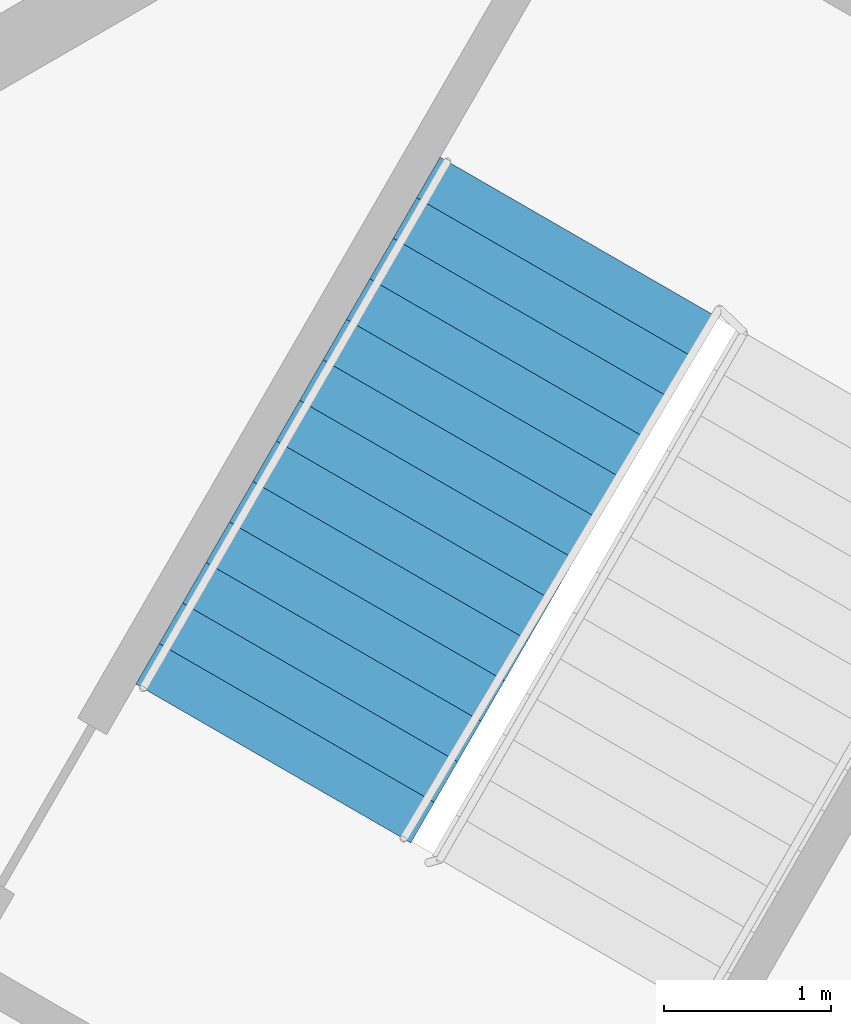
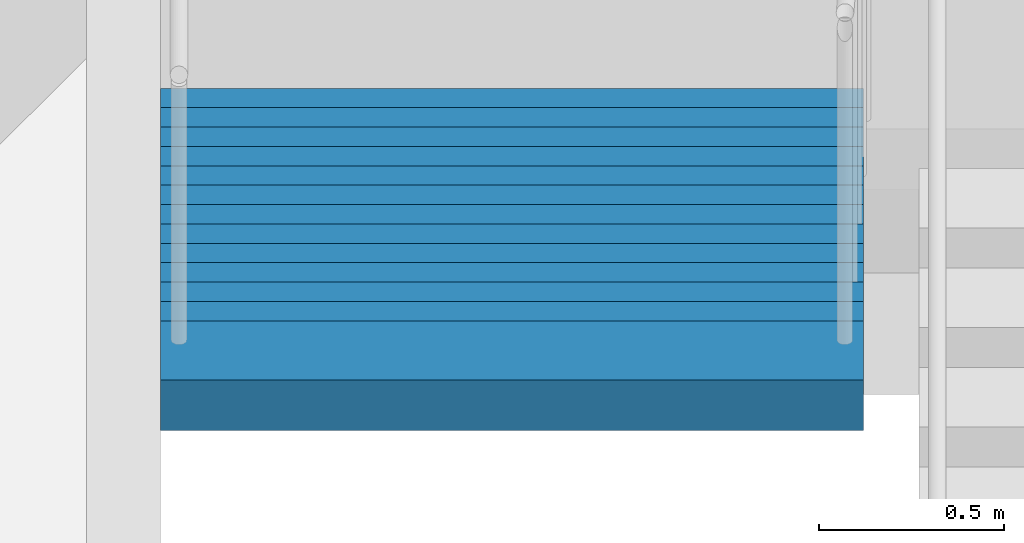
# One storey, part 6 of 9: 1 stair flight, 1 element without a shape of its own.
"""IFC4 building model written with IfcOpenShell, lengths in metres."""

from ifc_helpers import new_model, si_unit, direction, frame, origin, place, context, subcontext, project, spatial, polyline, outline, extrude, material, type_object, element, aggregate, save


model = new_model("IFC4")

# Units and contexts
model_context = context("Model", 3, precision=1e-05, world=origin(), true_north=direction((0.0, 1.0)))
body_context = subcontext(model_context, "Body", "Model", "MODEL_VIEW")
ifc_project = project(units=[si_unit("LENGTHUNIT", "METRE"), si_unit("AREAUNIT", "SQUARE_METRE"), si_unit("VOLUMEUNIT", "CUBIC_METRE"), si_unit("PLANEANGLEUNIT", "RADIAN"), si_unit("MASSUNIT", "GRAM", prefix="KILO")], contexts=[model_context])

# Site, building, storey
site_placement = place(None, origin())
site = spatial("IfcSite", under=ifc_project, at=site_placement, CompositionType="ELEMENT")
building_placement = place(site_placement, origin())
building = spatial("IfcBuilding", under=site, at=building_placement, Name="Jabali Bay Hotel Tower and Convention Centre", CompositionType="ELEMENT")
storey_placement = place(building_placement, frame((0.0, 0.0, 277.5)))
storey = spatial("IfcBuildingStorey", under=building, at=storey_placement, Name="L68", CompositionType="ELEMENT", Elevation=277.5)

# Stair, stair flight
ifc_material = material(Name="Concrete C40", Category="concrete")
stair_type = type_object("IfcStairType", Name="Exit stair 1900", PredefinedType="HALF_TURN_STAIR", material=ifc_material)
stair_placement = place(storey_placement, origin())
stair = element("IfcStair", 1, at=stair_placement, inside=storey, type_object=stair_type, Name="L68 Exit Stair 2", PredefinedType="HALF_TURN_STAIR")
stair_flight_type = type_object("IfcStairFlightType", Name="Stair flight concrete 150", PredefinedType="STRAIGHT", material=ifc_material)
stair_flight_placement = place(storey_placement, frame((85.222412109375, 99.755615234375, 1.85009765625), z_axis=(0.0, 0.0, 1.0), x_axis=(-0.5, -0.866025403784, 0.0)))
stair_flight = element("IfcStairFlight", 2, at=stair_flight_placement, type_object=stair_flight_type, Name="ST2 flight 2", NumberOfRisers=14, NumberOfTreads=13, PredefinedType="STRAIGHT", RiserHeight=0.132142857, TreadLength=0.28, context=body_context, shape_type="SweptSolid", body=[
    extrude(outline(polyline([(0.0, 0.0), (0.0, 0.132080078125), (0.280029296875, 0.132080078125), (0.280029296875, 0.264404296875), (0.56005859375, 0.264404296875), (0.56005859375, 0.396484375), (0.840087890625, 0.396484375), (0.840087890625, 0.528564453125), (1.1201171875, 0.528564453125), (1.1201171875, 0.66064453125), (1.39990234375, 0.66064453125), (1.39990234375, 0.79296875), (1.679931640625, 0.79296875), (1.679931640625, 0.925048828125), (1.9599609375, 0.925048828125), (1.9599609375, 1.05712890625), (2.239990234375, 1.05712890625), (2.239990234375, 1.189208984375), (2.52001953125, 1.189208984375), (2.52001953125, 1.321533203125), (2.800048828125, 1.321533203125), (2.800048828125, 1.45361328125), (3.080078125, 1.45361328125), (3.080078125, 1.585693359375), (3.360107421875, 1.585693359375), (3.360107421875, 1.7177734375), (3.639892578125, 1.7177734375), (3.639892578125, 1.85009765625), (3.639892578125, 1.552001953125), (0.351318359375, 0.0), (0.0, 0.0)])), frame((0.0, 0.949951171875, 0.0), z_axis=(0.0, -1.0, 0.0), x_axis=(1.0, 0.0, 0.0)), (0.0, 0.0, 1.0), 1.89990234375),
])
aggregate(stair, [stair_flight])

save(model, "model.ifc")
